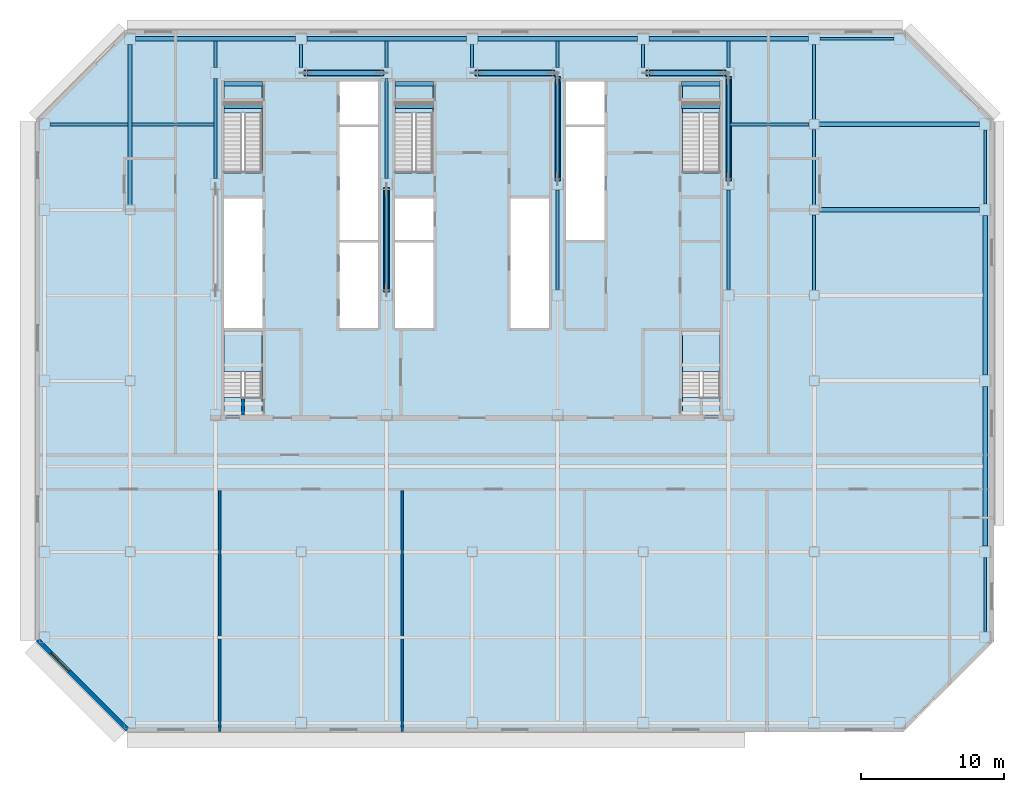
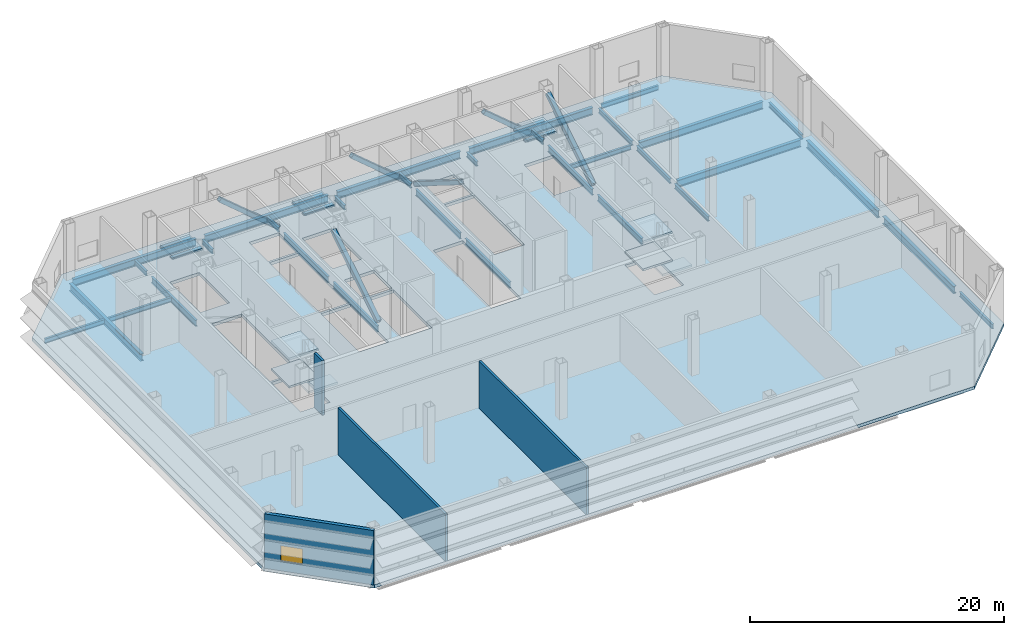
# One storey, part 2 of 10: 38 beams, 10 slabs, 6 members, 4 walls, 1 window, 1 opening, 5 elements without a shape of their own.
"""IFC4 building model written with IfcOpenShell, lengths in metres."""

import ifcopenshell
import ifcopenshell.guid

model = None  # the IFC model being written
_history = None  # IfcOwnerHistory: only IFC2X3 demands one
_inside = {}  # id of a spatial element -> (the spatial element, [elements in it])
_under = {}  # id of a project, library or spatial element -> (it, [spatial elements below it])
_declared = {}  # id of a project -> (the project, [libraries it declares])
_typed = {}  # id of a type object -> (the type object, [elements of that type])
_made_of = {}  # id of a material, layer set ... -> (it, [elements and type objects made of it])


def new_model(schema):
    """Start an empty IFC model of exactly this schema.

    Asked for "IFC4X3", IfcOpenShell would pick the latest addendum, in which some entities
    have other attributes; the version numbers below select the first issue.
    IFC2X3 requires an IfcOwnerHistory on every rooted entity: one is made here for all.
    """
    global model, _history
    if schema == "IFC4X3":
        model = ifcopenshell.file(schema_version=(4, 3, 0, 0))
    else:
        model = ifcopenshell.file(schema=schema)
    _inside.clear()
    _under.clear()
    _declared.clear()
    _typed.clear()
    _made_of.clear()
    _history = None
    if model.schema == "IFC2X3":
        org = make("IfcOrganization", Name="unknown")
        user = make(
            "IfcPersonAndOrganization",
            ThePerson=make("IfcPerson", FamilyName="unknown"),
            TheOrganization=org,
        )
        app = make(
            "IfcApplication",
            ApplicationDeveloper=org,
            Version="unknown",
            ApplicationFullName="unknown",
            ApplicationIdentifier="unknown",
        )
        _history = make(
            "IfcOwnerHistory",
            OwningUser=user,
            OwningApplication=app,
            ChangeAction="ADDED",
            CreationDate=0,
        )
    return model


def make(cls, **values):
    """One entity of the class cls with the attributes given. An attribute that is None is left unset."""
    return model.create_entity(
        cls, **{name: value for name, value in values.items() if value is not None}
    )


def rooted(cls, **values):
    """An entity with a GlobalId (a new one), such as an element, a storey or a relation."""
    return make(cls, GlobalId=ifcopenshell.guid.new(), OwnerHistory=_history, **values)


def si_unit(unit_type, name, prefix=None):
    """IfcSIUnit, for example si_unit("LENGTHUNIT", "METRE", prefix="MILLI")."""
    return make("IfcSIUnit", UnitType=unit_type, Prefix=prefix, Name=name)


def assignment(units):
    """IfcUnitAssignment: the units of a project."""
    return None if units is None else make("IfcUnitAssignment", Units=units)


def point(xyz):
    """IfcCartesianPoint."""
    return None if xyz is None else make("IfcCartesianPoint", Coordinates=xyz)


def direction(xyz):
    """IfcDirection."""
    return None if xyz is None else make("IfcDirection", DirectionRatios=xyz)


def frame(location, z_axis=None, x_axis=None):
    """IfcAxis2Placement3D, a coordinate frame: its origin and axes. An axis left out is left unset."""
    return make(
        "IfcAxis2Placement3D",
        Location=point(location),
        Axis=direction(z_axis),
        RefDirection=direction(x_axis),
    )


def frame_2d(location, x_axis=None):
    """IfcAxis2Placement2D, a coordinate frame in the plane: its origin and x axis."""
    return make(
        "IfcAxis2Placement2D", Location=point(location), RefDirection=direction(x_axis)
    )


def origin():
    """The frame at (0, 0, 0) with its axes left unset."""
    return frame((0.0, 0.0, 0.0))


def origin_2d():
    """The frame at (0, 0) in the plane with its x axis left unset."""
    return frame_2d((0.0, 0.0))


def place(relative_to, where):
    """IfcLocalPlacement: puts the frame where relative to a parent placement (None: the world)."""
    return make(
        "IfcLocalPlacement", PlacementRelTo=relative_to, RelativePlacement=where
    )


def context(
    kind, dimensions, precision=None, world=None, true_north=None, identifier=None
):
    """IfcGeometricRepresentationContext, for example the 3D "Model" context."""
    return make(
        "IfcGeometricRepresentationContext",
        ContextIdentifier=identifier,
        ContextType=kind,
        CoordinateSpaceDimension=dimensions,
        Precision=precision,
        WorldCoordinateSystem=world,
        TrueNorth=true_north,
    )


def subcontext(parent, identifier, kind, view, scale=None):
    """IfcGeometricRepresentationSubContext, for example "Body" below "Model"."""
    return make(
        "IfcGeometricRepresentationSubContext",
        ContextIdentifier=identifier,
        ContextType=kind,
        ParentContext=parent,
        TargetScale=scale,
        TargetView=view,
    )


def project(units=None, contexts=None):
    """IfcProject with its units and contexts."""
    return rooted(
        "IfcProject",
        Name="project",
        RepresentationContexts=contexts,
        UnitsInContext=assignment(units),
    )


def spatial(cls, under=None, at=None, **own):
    """A site, building, storey or space (cls), placed at a placement, below another one or the project."""
    s = rooted(cls, ObjectPlacement=at, **own)
    if under is not None:
        _under.setdefault(under.id(), (under, []))[1].append(s)
    return s


def polyline(points):
    """IfcPolyline through the points."""
    return make("IfcPolyline", Points=[point(p) for p in points])


def profile(cls, at=None, kind="AREA", **sizes):
    """A parametric profile (cls). Its sizes go by their IFC names, for example OverallWidth=200.0."""
    return make(cls, ProfileType=kind, Position=at, **sizes)


def rectangle(**sizes):
    """IfcRectangleProfileDef."""
    return profile("IfcRectangleProfileDef", **sizes)


def hollow_rectangle(**sizes):
    """IfcRectangleHollowProfileDef."""
    return profile("IfcRectangleHollowProfileDef", **sizes)


def i_section(**sizes):
    """IfcIShapeProfileDef."""
    return profile("IfcIShapeProfileDef", **sizes)


def outline(outer, holes=None, kind="AREA"):
    """IfcArbitraryClosedProfileDef: a profile drawn as a closed curve; with holes, ...WithVoids."""
    if holes is None:
        return make("IfcArbitraryClosedProfileDef", ProfileType=kind, OuterCurve=outer)
    return make(
        "IfcArbitraryProfileDefWithVoids",
        ProfileType=kind,
        OuterCurve=outer,
        InnerCurves=holes,
    )


def extrude(swept, where, along, depth):
    """IfcExtrudedAreaSolid: the profile swept, set in the frame where, extruded along a direction by depth."""
    return make(
        "IfcExtrudedAreaSolid",
        SweptArea=swept,
        Position=where,
        ExtrudedDirection=direction(along),
        Depth=depth,
    )


def shape(context_of_items, identifier, shape_type, items):
    """IfcShapeRepresentation: the items that make up one representation, for example the "Body"."""
    return make(
        "IfcShapeRepresentation",
        ContextOfItems=context_of_items,
        RepresentationIdentifier=identifier,
        RepresentationType=shape_type,
        Items=items,
    )


def material(Name=None, Category=None):
    """IfcMaterial."""
    return make("IfcMaterial", Name=Name, Category=Category)


def layer(
    of_material, thickness, ventilated=None, Name=None, Category=None, Priority=None
):
    """IfcMaterialLayer: one layer of a wall or slab, of a material (None: an air gap)."""
    return make(
        "IfcMaterialLayer",
        Material=of_material,
        LayerThickness=thickness,
        IsVentilated=ventilated,
        Name=Name,
        Category=Category,
        Priority=Priority,
    )


def layer_set(layers, Name=None):
    """IfcMaterialLayerSet."""
    return make("IfcMaterialLayerSet", MaterialLayers=layers, LayerSetName=Name)


def material_profile(
    of_material, cross_section, Name=None, Category=None, Priority=None
):
    """IfcMaterialProfile: a cross section and its material."""
    return make(
        "IfcMaterialProfile",
        Name=Name,
        Material=of_material,
        Profile=cross_section,
        Priority=Priority,
        Category=Category,
    )


def profile_set(profiles, Name=None, composite=None):
    """IfcMaterialProfileSet."""
    return make(
        "IfcMaterialProfileSet",
        Name=Name,
        MaterialProfiles=profiles,
        CompositeProfile=composite,
    )


def made_of(thing, what):
    """Note that an element or type object is made of a material, layer set ...; save() writes the relation."""
    if what is not None:
        _made_of.setdefault(what.id(), (what, []))[1].append(thing)
    return thing


def type_object(cls, material=None, **own):
    """A type object (cls), such as IfcWallType, which elements share."""
    return made_of(rooted(cls, **own), material)


def element(
    cls,
    number,
    at=None,
    inside=None,
    cuts=None,
    type_object=None,
    material=None,
    context=None,
    identifier="Body",
    shape_type=None,
    held_by="IfcProductDefinitionShape",
    body=None,
    shapes=None,
    **own,
):
    """One element of the class cls, such as IfcWall. Its Tag is "e" and its number.

    at: its placement. inside: the storey or other place that contains it. cuts: it is an
    opening in that element (IfcRelVoidsElement). A single representation is given by context,
    identifier, shape_type and body (its items); several are given by shapes. held_by: the class
    of the entity that holds the representations. save() writes the other relations.
    """
    e = rooted(cls, Tag="e%d" % number, ObjectPlacement=at, **own)
    if body is not None:
        shapes = [shape(context, identifier, shape_type, body)]
    if shapes is not None:
        e.Representation = make(held_by, Representations=shapes)
    if inside is not None:
        _inside.setdefault(inside.id(), (inside, []))[1].append(e)
    if cuts is not None:
        rooted(
            "IfcRelVoidsElement", RelatingBuildingElement=cuts, RelatedOpeningElement=e
        )
    if type_object is not None:
        _typed.setdefault(type_object.id(), (type_object, []))[1].append(e)
    return made_of(e, material)


def fill(opening, filler):
    """IfcRelFillsElement: the door or window that sits in an opening."""
    return rooted(
        "IfcRelFillsElement",
        RelatingOpeningElement=opening,
        RelatedBuildingElement=filler,
    )


def aggregate(whole, parts):
    """IfcRelAggregates: a whole, such as a stair, and the parts it consists of."""
    return rooted("IfcRelAggregates", RelatingObject=whole, RelatedObjects=parts)


def save(model, path):
    """Write the relations noted so far, then the file.

    IfcRelAggregates (storeys below a building ...), IfcRelContainedInSpatialStructure (elements
    in a storey), IfcRelDefinesByType, IfcRelAssociatesMaterial and IfcRelDeclares: one each for
    every whole, place, type object, material and project.
    """
    for whole, parts in _under.values():
        aggregate(whole, parts)
    for where, things in _inside.values():
        rooted(
            "IfcRelContainedInSpatialStructure",
            RelatedElements=things,
            RelatingStructure=where,
        )
    for kind, things in _typed.values():
        rooted("IfcRelDefinesByType", RelatedObjects=things, RelatingType=kind)
    for what, things in _made_of.values():
        rooted("IfcRelAssociatesMaterial", RelatedObjects=things, RelatingMaterial=what)
    for by, libraries in _declared.values():
        rooted("IfcRelDeclares", RelatingContext=by, RelatedDefinitions=libraries)
    model.write(path)


model = new_model("IFC4")

# Units and contexts
model_context = context("Model", 3, precision=1e-05, world=origin(), true_north=direction((0.0, 1.0)))
body_context = subcontext(model_context, "Body", "Model", "MODEL_VIEW")
ifc_project = project(units=[si_unit("LENGTHUNIT", "METRE"), si_unit("AREAUNIT", "SQUARE_METRE"), si_unit("VOLUMEUNIT", "CUBIC_METRE"), si_unit("PLANEANGLEUNIT", "RADIAN"), si_unit("MASSUNIT", "GRAM", prefix="KILO")], contexts=[model_context])

# Site, building, storey
site_placement = place(None, origin())
site = spatial("IfcSite", under=ifc_project, at=site_placement, CompositionType="ELEMENT")
building_placement = place(site_placement, origin())
building = spatial("IfcBuilding", under=site, at=building_placement, Name="Sorahane Residences", CompositionType="ELEMENT")
storey_placement = place(building_placement, frame((0.0, 0.0, 138.39990234375)))
storey = spatial("IfcBuildingStorey", under=building, at=storey_placement, Name="L31", CompositionType="ELEMENT", Elevation=138.39990234375)

# Members
ifc_material_1 = material(Name="Steel Q355B", Category="steel")
ifc_material_profile_1 = material_profile(ifc_material_1, hollow_rectangle(XDim=0.39990234375, YDim=0.39990234375, WallThickness=0.02001953125, InnerFilletRadius=0.010009765625, OuterFilletRadius=0.030029296875, at=origin_2d()), Name="RHS 400x400x20")
ifc_profile_set_1 = profile_set([ifc_material_profile_1], Name="Steel Q355B")
member_type = type_object("IfcMemberType", Name="Core brace RHS 400x400x20 Q355B", PredefinedType="BRACE", material=ifc_profile_set_1)
for number, where, z_axis, x_axis, name in (
    (1, (17.67724609375, 45.60009765625, 0.13525390625), (-0.76556525425, 0.0, 0.643358252831), (0.0, -1.0, 0.0), "Core brace L31 y45.6-2"),
    (2, (29.67724609375, 45.60009765625, 0.13525390625), (-0.76556525425, 0.0, 0.643358252831), (0.0, -1.0, 0.0), "Core brace L31 y45.6-4"),
    (3, (41.67724609375, 45.60009765625, 0.13525390625), (-0.76556525425, 0.0, 0.643358252831), (0.0, -1.0, 0.0), "Core brace L31 y45.6-6"),
):
    element("IfcMember", number, at=place(storey_placement, frame(where, z_axis=z_axis, x_axis=x_axis)), inside=storey, type_object=member_type, Name=name, PredefinedType="BRACE", context=body_context, shape_type="SweptSolid", body=[
        extrude(hollow_rectangle(XDim=0.39990234375, YDim=0.39990234375, WallThickness=0.02001953125, InnerFilletRadius=0.010009765625, OuterFilletRadius=0.030029296875, at=origin_2d()), origin(), (0.0, 0.0, 1.0), 6.994140625),
    ])
member_1_placement = place(storey_placement, frame((42.0, 38.136474609375, 0.160400390625), z_axis=(0.0, 0.848259395997, 0.52958096369), x_axis=(-1.0, 0.0, 0.0)))
element("IfcMember", 4, at=member_1_placement, inside=storey, type_object=member_type, Name="Core brace L31 x42-3", PredefinedType="BRACE", context=body_context, shape_type="SweptSolid", body=[
    extrude(hollow_rectangle(XDim=0.39990234375, YDim=0.39990234375, WallThickness=0.02001953125, InnerFilletRadius=0.010009765625, OuterFilletRadius=0.030029296875, at=origin_2d()), origin(), (0.0, 0.0, 1.0), 8.40185546875),
])
member_2_placement = place(storey_placement, frame((18.0, 30.33642578125, 0.160400390625), z_axis=(0.0, 0.848267545169, 0.529567910482), x_axis=(-1.0, 0.0, 0.0)))
element("IfcMember", 5, at=member_2_placement, inside=storey, type_object=member_type, Name="Core brace L31 x18-1", PredefinedType="BRACE", context=body_context, shape_type="SweptSolid", body=[
    extrude(hollow_rectangle(XDim=0.39990234375, YDim=0.39990234375, WallThickness=0.02001953125, InnerFilletRadius=0.010009765625, OuterFilletRadius=0.030029296875, at=origin_2d()), origin(), (0.0, 0.0, 1.0), 8.402099609375),
])
member_3_placement = place(storey_placement, frame((30.0, 45.263427734375, 0.160400390625), z_axis=(0.0, -0.848259395997, 0.52958096369), x_axis=(1.0, 0.0, 0.0)))
element("IfcMember", 6, at=member_3_placement, inside=storey, type_object=member_type, Name="Core brace L31 x30-2", PredefinedType="BRACE", context=body_context, shape_type="SweptSolid", body=[
    extrude(hollow_rectangle(XDim=0.39990234375, YDim=0.39990234375, WallThickness=0.02001953125, InnerFilletRadius=0.010009765625, OuterFilletRadius=0.030029296875, at=origin_2d()), origin(), (0.0, 0.0, 1.0), 8.40185546875),
])

# Beams
ifc_material_2 = material(Name="Concrete C40", Category="concrete")
ifc_material_profile_2 = material_profile(ifc_material_2, rectangle(XDim=0.300048828125, YDim=0.139892578125, at=origin_2d()), Name="300x140")
ifc_profile_set_2 = profile_set([ifc_material_profile_2], Name="Concrete C40")
beam_type_1 = type_object("IfcBeamType", Name="RC landing beam 300 x 140 Concrete C40", PredefinedType="BEAM", material=ifc_profile_set_2)
for number, where, z_axis, x_axis, name in (
    (7, (6.60009765625, 43.25, 2.43017578125), (1.0, 0.0, 0.0), (0.0, 1.0, 0.0), "Landing beam"),
    (8, (6.60009765625, 44.85009765625, 2.43017578125), (1.0, 0.0, 0.0), (0.0, 1.0, 0.0), "Landing beam"),
    (9, (38.699951171875, 43.25, 2.43017578125), (1.0, 0.0, 0.0), (0.0, 1.0, 0.0), "Landing beam"),
    (10, (38.699951171875, 44.85009765625, 2.43017578125), (1.0, 0.0, 0.0), (0.0, 1.0, 0.0), "Landing beam"),
    (11, (18.60009765625, 43.25, 2.43017578125), (1.0, 0.0, 0.0), (0.0, 1.0, 0.0), "Landing beam"),
    (12, (18.60009765625, 44.85009765625, 2.43017578125), (1.0, 0.0, 0.0), (0.0, 1.0, 0.0), "Landing beam"),
):
    element("IfcBeam", number, at=place(storey_placement, frame(where, z_axis=z_axis, x_axis=x_axis)), inside=storey, type_object=beam_type_1, Name=name, PredefinedType="BEAM", context=body_context, shape_type="SweptSolid", body=[
        extrude(rectangle(XDim=0.300048828125, YDim=0.139892578125, at=origin_2d()), origin(), (0.0, 0.0, 1.0), 2.699951171875),
    ])
ifc_material_3 = material(Name="Steel Q355B", Category="steel")
ifc_material_profile_3 = material_profile(ifc_material_3, i_section(OverallWidth=0.199951171875, OverallDepth=0.449951171875, WebThickness=0.009033203125, FlangeThickness=0.013916015625, FilletRadius=0.02001953125, at=origin_2d()), Name="HN 450x200x9x14")
ifc_profile_set_3 = profile_set([ifc_material_profile_3], Name="Steel Q355B")
beam_type_2 = type_object("IfcBeamType", Name="Steel floor beam HN 450x200x9x14 Q355B", PredefinedType="BEAM", material=ifc_profile_set_3)
beam_1_placement = place(storey_placement, frame((48.39990234375, 48.0, -0.52490234375), z_axis=(1.0, 0.0, 0.0), x_axis=(0.0, 1.0, 0.0)))
element("IfcBeam", 13, at=beam_1_placement, inside=storey, type_object=beam_type_2, Name="Beam L31 019", PredefinedType="BEAM", context=body_context, shape_type="SweptSolid", body=[
    extrude(i_section(OverallWidth=0.199951171875, OverallDepth=0.449951171875, WebThickness=0.009033203125, FlangeThickness=0.013916015625, FilletRadius=0.02001953125, at=origin_2d()), origin(), (0.0, 0.0, 1.0), 5.2001953125),
])
beam_2_placement = place(storey_placement, frame((6.0, 46.0, -0.52490234375), z_axis=(0.0, 1.0, 0.0), x_axis=(-1.0, 0.0, 0.0)))
element("IfcBeam", 14, at=beam_2_placement, inside=storey, type_object=beam_type_2, Name="Beam L31 033", PredefinedType="BEAM", context=body_context, shape_type="SweptSolid", body=[
    extrude(i_section(OverallWidth=0.199951171875, OverallDepth=0.449951171875, WebThickness=0.009033203125, FlangeThickness=0.013916015625, FilletRadius=0.02001953125, at=origin_2d()), origin(), (0.0, 0.0, 1.0), 1.85009765625),
])
beam_3_placement = place(storey_placement, frame((12.0, 46.0, -0.52490234375), z_axis=(0.0, 1.0, 0.0), x_axis=(-1.0, 0.0, 0.0)))
element("IfcBeam", 15, at=beam_3_placement, inside=storey, type_object=beam_type_2, Name="Beam L31 035", PredefinedType="BEAM", context=body_context, shape_type="SweptSolid", body=[
    extrude(i_section(OverallWidth=0.199951171875, OverallDepth=0.449951171875, WebThickness=0.009033203125, FlangeThickness=0.013916015625, FilletRadius=0.02001953125, at=origin_2d()), origin(), (0.0, 0.0, 1.0), 1.60009765625),
])
beam_4_placement = place(storey_placement, frame((18.0, 46.0, -0.52490234375), z_axis=(0.0, 1.0, 0.0), x_axis=(-1.0, 0.0, 0.0)))
element("IfcBeam", 16, at=beam_4_placement, inside=storey, type_object=beam_type_2, Name="Beam L31 041", PredefinedType="BEAM", context=body_context, shape_type="SweptSolid", body=[
    extrude(i_section(OverallWidth=0.199951171875, OverallDepth=0.449951171875, WebThickness=0.009033203125, FlangeThickness=0.013916015625, FilletRadius=0.02001953125, at=origin_2d()), origin(), (0.0, 0.0, 1.0), 1.85009765625),
])
beam_5_placement = place(storey_placement, frame((24.0, 46.0, -0.52490234375), z_axis=(0.0, 1.0, 0.0), x_axis=(-1.0, 0.0, 0.0)))
element("IfcBeam", 17, at=beam_5_placement, inside=storey, type_object=beam_type_2, Name="Beam L31 043", PredefinedType="BEAM", context=body_context, shape_type="SweptSolid", body=[
    extrude(i_section(OverallWidth=0.199951171875, OverallDepth=0.449951171875, WebThickness=0.009033203125, FlangeThickness=0.013916015625, FilletRadius=0.02001953125, at=origin_2d()), origin(), (0.0, 0.0, 1.0), 1.60009765625),
])
beam_6_placement = place(storey_placement, frame((30.0, 46.0, -0.52490234375), z_axis=(0.0, 1.0, 0.0), x_axis=(-1.0, 0.0, 0.0)))
element("IfcBeam", 18, at=beam_6_placement, inside=storey, type_object=beam_type_2, Name="Beam L31 049", PredefinedType="BEAM", context=body_context, shape_type="SweptSolid", body=[
    extrude(i_section(OverallWidth=0.199951171875, OverallDepth=0.449951171875, WebThickness=0.009033203125, FlangeThickness=0.013916015625, FilletRadius=0.02001953125, at=origin_2d()), origin(), (0.0, 0.0, 1.0), 1.85009765625),
])
beam_7_placement = place(storey_placement, frame((36.0, 46.0, -0.52490234375), z_axis=(0.0, 1.0, 0.0), x_axis=(-1.0, 0.0, 0.0)))
element("IfcBeam", 19, at=beam_7_placement, inside=storey, type_object=beam_type_2, Name="Beam L31 051", PredefinedType="BEAM", context=body_context, shape_type="SweptSolid", body=[
    extrude(i_section(OverallWidth=0.199951171875, OverallDepth=0.449951171875, WebThickness=0.009033203125, FlangeThickness=0.013916015625, FilletRadius=0.02001953125, at=origin_2d()), origin(), (0.0, 0.0, 1.0), 1.60009765625),
])
beam_8_placement = place(storey_placement, frame((42.0, 46.0, -0.52490234375), z_axis=(0.0, 1.0, 0.0), x_axis=(-1.0, 0.0, 0.0)))
element("IfcBeam", 20, at=beam_8_placement, inside=storey, type_object=beam_type_2, Name="Beam L31 057", PredefinedType="BEAM", context=body_context, shape_type="SweptSolid", body=[
    extrude(i_section(OverallWidth=0.199951171875, OverallDepth=0.449951171875, WebThickness=0.009033203125, FlangeThickness=0.013916015625, FilletRadius=0.02001953125, at=origin_2d()), origin(), (0.0, 0.0, 1.0), 1.85009765625),
])
for number, where, z_axis, x_axis, name in (
    (21, (48.0, 30.35009765625, -0.52490234375), (0.0, 1.0, 0.0), (-1.0, 0.0, 0.0), "Beam L31 061"),
    (22, (48.0, 36.35009765625, -0.52490234375), (0.0, 1.0, 0.0), (-1.0, 0.0, 0.0), "Beam L31 062"),
):
    element("IfcBeam", number, at=place(storey_placement, frame(where, z_axis=z_axis, x_axis=x_axis)), inside=storey, type_object=beam_type_2, Name=name, PredefinedType="BEAM", context=body_context, shape_type="SweptSolid", body=[
        extrude(i_section(OverallWidth=0.199951171875, OverallDepth=0.449951171875, WebThickness=0.009033203125, FlangeThickness=0.013916015625, FilletRadius=0.02001953125, at=origin_2d()), origin(), (0.0, 0.0, 1.0), 5.2998046875),
    ])
beam_9_placement = place(storey_placement, frame((48.0, 42.35009765625, -0.52490234375), z_axis=(0.0, 1.0, 0.0), x_axis=(-1.0, 0.0, 0.0)))
element("IfcBeam", 23, at=beam_9_placement, inside=storey, type_object=beam_type_2, Name="Beam L31 063", PredefinedType="BEAM", context=body_context, shape_type="SweptSolid", body=[
    extrude(i_section(OverallWidth=0.199951171875, OverallDepth=0.449951171875, WebThickness=0.009033203125, FlangeThickness=0.013916015625, FilletRadius=0.02001953125, at=origin_2d()), origin(), (0.0, 0.0, 1.0), 5.25),
])
for number, where, z_axis, x_axis, name in (
    (24, (60.0, 6.39990234375, -0.52490234375), (0.0, 1.0, 0.0), (-1.0, 0.0, 0.0), "Beam L31 064"),
    (25, (60.0, 36.39990234375, -0.52490234375), (0.0, 1.0, 0.0), (-1.0, 0.0, 0.0), "Beam L31 067"),
):
    element("IfcBeam", number, at=place(storey_placement, frame(where, z_axis=z_axis, x_axis=x_axis)), inside=storey, type_object=beam_type_2, Name=name, PredefinedType="BEAM", context=body_context, shape_type="SweptSolid", body=[
        extrude(i_section(OverallWidth=0.199951171875, OverallDepth=0.449951171875, WebThickness=0.009033203125, FlangeThickness=0.013916015625, FilletRadius=0.02001953125, at=origin_2d()), origin(), (0.0, 0.0, 1.0), 5.2001953125),
    ])
beam_10_placement = place(storey_placement, frame((-5.60009765625, 42.0, -0.52490234375), z_axis=(1.0, 0.0, 0.0), x_axis=(0.0, 1.0, 0.0)))
element("IfcBeam", 26, at=beam_10_placement, inside=storey, type_object=beam_type_2, Name="Beam L31 089", PredefinedType="BEAM", context=body_context, shape_type="SweptSolid", body=[
    extrude(i_section(OverallWidth=0.199951171875, OverallDepth=0.449951171875, WebThickness=0.009033203125, FlangeThickness=0.013916015625, FilletRadius=0.02001953125, at=origin_2d()), origin(), (0.0, 0.0, 1.0), 5.4501953125),
])
beam_11_placement = place(storey_placement, frame((0.14990234375, 42.0, -0.52490234375), z_axis=(1.0, 0.0, 0.0), x_axis=(0.0, 1.0, 0.0)))
element("IfcBeam", 27, at=beam_11_placement, inside=storey, type_object=beam_type_2, Name="Beam L31 090", PredefinedType="BEAM", context=body_context, shape_type="SweptSolid", body=[
    extrude(i_section(OverallWidth=0.199951171875, OverallDepth=0.449951171875, WebThickness=0.009033203125, FlangeThickness=0.013916015625, FilletRadius=0.02001953125, at=origin_2d()), origin(), (0.0, 0.0, 1.0), 5.75),
])
beam_12_placement = place(storey_placement, frame((42.10009765625, 42.0, -0.52490234375), z_axis=(1.0, 0.0, 0.0), x_axis=(0.0, 1.0, 0.0)))
element("IfcBeam", 28, at=beam_12_placement, inside=storey, type_object=beam_type_2, Name="Beam L31 091", PredefinedType="BEAM", context=body_context, shape_type="SweptSolid", body=[
    extrude(i_section(OverallWidth=0.199951171875, OverallDepth=0.449951171875, WebThickness=0.009033203125, FlangeThickness=0.013916015625, FilletRadius=0.02001953125, at=origin_2d()), origin(), (0.0, 0.0, 1.0), 5.5498046875),
])
ifc_material_4 = material(Name="Steel Q355B", Category="steel")
ifc_material_profile_4 = material_profile(ifc_material_4, i_section(OverallWidth=0.199951171875, OverallDepth=0.60009765625, WebThickness=0.010986328125, FlangeThickness=0.01708984375, FilletRadius=0.02392578125, at=origin_2d()), Name="HN 600x200x11x17")
ifc_profile_set_4 = profile_set([ifc_material_profile_4], Name="Steel Q355B")
beam_type_3 = type_object("IfcBeamType", Name="Steel floor beam HN 600x200x11x17 Q355B", PredefinedType="BEAM", material=ifc_profile_set_4)
for number, where, z_axis, x_axis, name in (
    (29, (6.0, 38.199951171875, -0.599853515625), (0.0, 1.0, 0.0), (-1.0, 0.0, 0.0), "Beam L31 032"),
    (30, (18.0, 30.39990234375, -0.599853515625), (0.0, 1.0, 0.0), (-1.0, 0.0, 0.0), "Beam L31 039"),
    (31, (18.0, 38.199951171875, -0.599853515625), (0.0, 1.0, 0.0), (-1.0, 0.0, 0.0), "Beam L31 040"),
    (32, (30.0, 30.39990234375, -0.599853515625), (0.0, 1.0, 0.0), (-1.0, 0.0, 0.0), "Beam L31 047"),
    (33, (30.0, 38.199951171875, -0.599853515625), (0.0, 1.0, 0.0), (-1.0, 0.0, 0.0), "Beam L31 048"),
    (34, (42.0, 30.39990234375, -0.599853515625), (0.0, 1.0, 0.0), (-1.0, 0.0, 0.0), "Beam L31 055"),
    (35, (42.0, 38.199951171875, -0.599853515625), (0.0, 1.0, 0.0), (-1.0, 0.0, 0.0), "Beam L31 056"),
):
    element("IfcBeam", number, at=place(storey_placement, frame(where, z_axis=z_axis, x_axis=x_axis)), inside=storey, type_object=beam_type_3, Name=name, PredefinedType="BEAM", context=body_context, shape_type="SweptSolid", body=[
        extrude(i_section(OverallWidth=0.199951171875, OverallDepth=0.60009765625, WebThickness=0.010986328125, FlangeThickness=0.01708984375, FilletRadius=0.02392578125, at=origin_2d()), origin(), (0.0, 0.0, 1.0), 7.0),
    ])
ifc_material_5 = material(Name="Steel Q355B", Category="steel")
ifc_material_profile_5 = material_profile(ifc_material_5, i_section(OverallWidth=0.300048828125, OverallDepth=0.699951171875, WebThickness=0.012939453125, FlangeThickness=0.02392578125, FilletRadius=0.028076171875, at=origin_2d()), Name="HN 700x300x13x24")
ifc_profile_set_5 = profile_set([ifc_material_profile_5], Name="Steel Q355B")
beam_type_4 = type_object("IfcBeamType", Name="Steel floor beam HN 700x300x13x24 Q355B", PredefinedType="BEAM", material=ifc_profile_set_5)
beam_13_placement = place(storey_placement, frame((48.35009765625, 36.0, -0.64990234375), z_axis=(1.0, 0.0, 0.0), x_axis=(0.0, 1.0, 0.0)))
element("IfcBeam", 36, at=beam_13_placement, inside=storey, type_object=beam_type_4, Name="Beam L31 014", PredefinedType="BEAM", context=body_context, shape_type="SweptSolid", body=[
    extrude(i_section(OverallWidth=0.300048828125, OverallDepth=0.699951171875, WebThickness=0.012939453125, FlangeThickness=0.02392578125, FilletRadius=0.028076171875, at=origin_2d()), origin(), (0.0, 0.0, 1.0), 11.25),
])
for number, where, z_axis, x_axis, name in (
    (37, (0.39990234375, 48.0, -0.64990234375), (1.0, 0.0, 0.0), (0.0, 1.0, 0.0), "Beam L31 015"),
    (38, (12.39990234375, 48.0, -0.64990234375), (1.0, 0.0, 0.0), (0.0, 1.0, 0.0), "Beam L31 016"),
    (39, (24.39990234375, 48.0, -0.64990234375), (1.0, 0.0, 0.0), (0.0, 1.0, 0.0), "Beam L31 017"),
    (40, (36.39990234375, 48.0, -0.64990234375), (1.0, 0.0, 0.0), (0.0, 1.0, 0.0), "Beam L31 018"),
):
    element("IfcBeam", number, at=place(storey_placement, frame(where, z_axis=z_axis, x_axis=x_axis)), inside=storey, type_object=beam_type_4, Name=name, PredefinedType="BEAM", context=body_context, shape_type="SweptSolid", body=[
        extrude(i_section(OverallWidth=0.300048828125, OverallDepth=0.699951171875, WebThickness=0.012939453125, FlangeThickness=0.02392578125, FilletRadius=0.028076171875, at=origin_2d()), origin(), (0.0, 0.0, 1.0), 11.2001953125),
    ])
beam_14_placement = place(storey_placement, frame((0.0, 36.35009765625, -0.64990234375), z_axis=(0.0, 1.0, 0.0), x_axis=(-1.0, 0.0, 0.0)))
element("IfcBeam", 41, at=beam_14_placement, inside=storey, type_object=beam_type_4, Name="Beam L31 027", PredefinedType="BEAM", context=body_context, shape_type="SweptSolid", body=[
    extrude(i_section(OverallWidth=0.300048828125, OverallDepth=0.699951171875, WebThickness=0.012939453125, FlangeThickness=0.02392578125, FilletRadius=0.028076171875, at=origin_2d()), origin(), (0.0, 0.0, 1.0), 11.25),
])
for number, where, z_axis, x_axis, name in (
    (42, (60.0, 12.39990234375, -0.64990234375), (0.0, 1.0, 0.0), (-1.0, 0.0, 0.0), "Beam L31 065"),
    (43, (60.0, 24.39990234375, -0.64990234375), (0.0, 1.0, 0.0), (-1.0, 0.0, 0.0), "Beam L31 066"),
):
    element("IfcBeam", number, at=place(storey_placement, frame(where, z_axis=z_axis, x_axis=x_axis)), inside=storey, type_object=beam_type_4, Name=name, PredefinedType="BEAM", context=body_context, shape_type="SweptSolid", body=[
        extrude(i_section(OverallWidth=0.300048828125, OverallDepth=0.699951171875, WebThickness=0.012939453125, FlangeThickness=0.02392578125, FilletRadius=0.028076171875, at=origin_2d()), origin(), (0.0, 0.0, 1.0), 11.2001953125),
    ])
beam_15_placement = place(storey_placement, frame((48.35009765625, 42.0, -0.64990234375), z_axis=(1.0, 0.0, 0.0), x_axis=(0.0, 1.0, 0.0)))
element("IfcBeam", 44, at=beam_15_placement, inside=storey, type_object=beam_type_4, Name="Beam L31 092", PredefinedType="BEAM", context=body_context, shape_type="SweptSolid", body=[
    extrude(i_section(OverallWidth=0.300048828125, OverallDepth=0.699951171875, WebThickness=0.012939453125, FlangeThickness=0.02392578125, FilletRadius=0.028076171875, at=origin_2d()), origin(), (0.0, 0.0, 1.0), 11.25),
])

# Slab
ifc_material_6 = material(Name="Concrete C35", Category="concrete")
ifc_layer_1 = layer(ifc_material_6, 0.300048828125)
ifc_layer_set_1 = layer_set([ifc_layer_1], Name="Composite floor slab 300 mm Concrete C35")
slab_type_1 = type_object("IfcSlabType", Name="Composite floor slab 300 mm Concrete C35", PredefinedType="FLOOR", material=ifc_layer_set_1)
slab_1_placement = place(storey_placement, frame((0.0, 0.0, -0.2998046875)))
element("IfcSlab", 45, at=slab_1_placement, inside=storey, type_object=slab_type_1, Name="Slab L31", PredefinedType="FLOOR", context=body_context, shape_type="SweptSolid", body=[
    extrude(outline(polyline([(-0.24853515625, -0.60009765625), (-6.60009765625, 5.75146484375), (-6.60009765625, 42.24853515625), (-0.24853515625, 48.60009765625), (54.24853515625, 48.60009765625), (60.60009765625, 42.24853515625), (60.60009765625, 5.75146484375), (54.24853515625, -0.60009765625), (-0.24853515625, -0.60009765625)]), holes=[polyline([(18.60009765625, 27.699951171875), (21.300048828125, 27.699951171875), (21.300048828125, 33.699951171875), (18.60009765625, 33.699951171875), (18.60009765625, 27.699951171875)]), polyline([(30.60009765625, 42.0), (33.300048828125, 42.0), (33.300048828125, 45.0), (30.60009765625, 45.0), (30.60009765625, 42.0)]), polyline([(14.699951171875, 27.699951171875), (17.39990234375, 27.699951171875), (17.39990234375, 33.699951171875), (14.699951171875, 33.699951171875), (14.699951171875, 27.699951171875)]), polyline([(14.699951171875, 42.0), (17.39990234375, 42.0), (17.39990234375, 45.0), (14.699951171875, 45.0), (14.699951171875, 42.0)]), polyline([(6.60009765625, 27.699951171875), (9.300048828125, 27.699951171875), (9.300048828125, 36.800048828125), (6.60009765625, 36.800048828125), (6.60009765625, 27.699951171875)]), polyline([(6.60009765625, 43.39990234375), (9.25, 43.39990234375), (9.25, 38.60009765625), (6.60009765625, 38.60009765625), (6.60009765625, 43.39990234375)]), polyline([(38.75, 43.39990234375), (41.39990234375, 43.39990234375), (41.39990234375, 38.60009765625), (38.75, 38.60009765625), (38.75, 43.39990234375)]), polyline([(18.60009765625, 43.39990234375), (21.25, 43.39990234375), (21.25, 38.60009765625), (18.60009765625, 38.60009765625), (18.60009765625, 43.39990234375)]), polyline([(6.60009765625, 27.5), (9.25, 27.5), (9.25, 22.85009765625), (6.60009765625, 22.85009765625), (6.60009765625, 27.5)]), polyline([(38.75, 27.5), (41.39990234375, 27.5), (41.39990234375, 22.85009765625), (38.75, 22.85009765625), (38.75, 27.5)]), polyline([(14.699951171875, 33.89990234375), (17.39990234375, 33.89990234375), (17.39990234375, 41.800048828125), (14.699951171875, 41.800048828125), (14.699951171875, 33.89990234375)]), polyline([(30.60009765625, 33.89990234375), (33.300048828125, 33.89990234375), (33.300048828125, 41.800048828125), (30.60009765625, 41.800048828125), (30.60009765625, 33.89990234375)]), polyline([(18.60009765625, 33.89990234375), (21.300048828125, 33.89990234375), (21.300048828125, 36.800048828125), (18.60009765625, 36.800048828125), (18.60009765625, 33.89990234375)]), polyline([(26.699951171875, 27.699951171875), (29.39990234375, 27.699951171875), (29.39990234375, 36.800048828125), (26.699951171875, 36.800048828125), (26.699951171875, 27.699951171875)])]), origin(), (0.0, 0.0, 1.0), 0.2998046875),
])

# Stair, slab
ifc_material_7 = material(Name="Concrete C40", Category="concrete")
stair_type = type_object("IfcStairType", Name="Dog-leg stair 1250 Concrete C40", PredefinedType="HALF_TURN_STAIR", material=ifc_material_7)
stair_1_placement = place(storey_placement, origin())
stair_1 = element("IfcStair", 46, at=stair_1_placement, inside=storey, type_object=stair_type, Name="L31 Stair S1", PredefinedType="HALF_TURN_STAIR")
ifc_material_8 = material(Name="Concrete C40", Category="concrete")
ifc_layer_2 = layer(ifc_material_8, 0.199951171875)
ifc_layer_set_2 = layer_set([ifc_layer_2], Name="Stair landing 200 Concrete C40")
slab_type_2 = type_object("IfcSlabType", Name="Stair landing 200 Concrete C40", PredefinedType="LANDING", material=ifc_layer_set_2)
slab_2_placement = place(storey_placement, frame((0.0, 0.0, 2.5)))
slab_2 = element("IfcSlab", 47, at=slab_2_placement, type_object=slab_type_2, Name="S1 landing 1", PredefinedType="LANDING", context=body_context, shape_type="SweptSolid", body=[
    extrude(outline(polyline([(9.25, 42.800048828125), (9.25, 45.0), (6.60009765625, 45.0), (6.60009765625, 42.800048828125), (9.25, 42.800048828125)])), origin(), (0.0, 0.0, 1.0), 0.2001953125),
])
aggregate(stair_1, [slab_2])

stair_2_placement = place(storey_placement, origin())
stair_2 = element("IfcStair", 48, at=stair_2_placement, inside=storey, type_object=stair_type, Name="L31 Stair S2", PredefinedType="HALF_TURN_STAIR")
slab_3_placement = place(storey_placement, frame((0.0, 0.0, 2.5)))
slab_3 = element("IfcSlab", 49, at=slab_3_placement, type_object=slab_type_2, Name="S2 landing 1", PredefinedType="LANDING", context=body_context, shape_type="SweptSolid", body=[
    extrude(outline(polyline([(41.39990234375, 42.800048828125), (41.39990234375, 45.0), (38.75, 45.0), (38.75, 42.800048828125), (41.39990234375, 42.800048828125)])), origin(), (0.0, 0.0, 1.0), 0.2001953125),
])
aggregate(stair_2, [slab_3])

stair_3_placement = place(storey_placement, origin())
stair_3 = element("IfcStair", 50, at=stair_3_placement, inside=storey, type_object=stair_type, Name="L31 Stair S3", PredefinedType="HALF_TURN_STAIR")
slab_4_placement = place(storey_placement, frame((0.0, 0.0, 2.5)))
slab_4 = element("IfcSlab", 51, at=slab_4_placement, type_object=slab_type_2, Name="S3 landing 1", PredefinedType="LANDING", context=body_context, shape_type="SweptSolid", body=[
    extrude(outline(polyline([(21.25, 42.800048828125), (21.25, 45.0), (18.60009765625, 45.0), (18.60009765625, 42.800048828125), (21.25, 42.800048828125)])), origin(), (0.0, 0.0, 1.0), 0.2001953125),
])
aggregate(stair_3, [slab_4])

# Stair, slabs
stair_4_placement = place(storey_placement, origin())
stair_4 = element("IfcStair", 52, at=stair_4_placement, inside=storey, type_object=stair_type, Name="L31 Stair S4", PredefinedType="HALF_TURN_STAIR")
slab_5_placement = place(storey_placement, frame((0.0, 0.0, 1.150146484375)))
slab_5 = element("IfcSlab", 53, at=slab_5_placement, type_object=slab_type_2, Name="S4 landing 1", PredefinedType="LANDING", context=body_context, shape_type="SweptSolid", body=[
    extrude(outline(polyline([(9.25, 24.669921875), (9.25, 27.5), (6.60009765625, 27.5), (6.60009765625, 24.669921875), (9.25, 24.669921875)])), origin(), (0.0, 0.0, 1.0), 0.199951171875),
])
slab_6_placement = place(storey_placement, frame((0.0, 0.0, 2.5)))
slab_6 = element("IfcSlab", 54, at=slab_6_placement, type_object=slab_type_2, Name="S4 landing 2", PredefinedType="LANDING", context=body_context, shape_type="SweptSolid", body=[
    extrude(outline(polyline([(9.25, 21.60009765625), (9.25, 22.85009765625), (6.60009765625, 22.85009765625), (6.60009765625, 21.60009765625), (9.25, 21.60009765625)])), origin(), (0.0, 0.0, 1.0), 0.2001953125),
])
slab_7_placement = place(storey_placement, frame((0.0, 0.0, 3.85009765625)))
slab_7 = element("IfcSlab", 55, at=slab_7_placement, type_object=slab_type_2, Name="S4 landing 3", PredefinedType="LANDING", context=body_context, shape_type="SweptSolid", body=[
    extrude(outline(polyline([(9.25, 24.669921875), (9.25, 27.5), (6.60009765625, 27.5), (6.60009765625, 24.669921875), (9.25, 24.669921875)])), origin(), (0.0, 0.0, 1.0), 0.199951171875),
])
aggregate(stair_4, [slab_5, slab_6, slab_7])

stair_5_placement = place(storey_placement, origin())
stair_5 = element("IfcStair", 56, at=stair_5_placement, inside=storey, type_object=stair_type, Name="L31 Stair S5", PredefinedType="HALF_TURN_STAIR")
slab_8_placement = place(storey_placement, frame((0.0, 0.0, 1.150146484375)))
slab_8 = element("IfcSlab", 57, at=slab_8_placement, type_object=slab_type_2, Name="S5 landing 1", PredefinedType="LANDING", context=body_context, shape_type="SweptSolid", body=[
    extrude(outline(polyline([(41.39990234375, 24.669921875), (41.39990234375, 27.5), (38.75, 27.5), (38.75, 24.669921875), (41.39990234375, 24.669921875)])), origin(), (0.0, 0.0, 1.0), 0.199951171875),
])
slab_9_placement = place(storey_placement, frame((0.0, 0.0, 2.5)))
slab_9 = element("IfcSlab", 58, at=slab_9_placement, type_object=slab_type_2, Name="S5 landing 2", PredefinedType="LANDING", context=body_context, shape_type="SweptSolid", body=[
    extrude(outline(polyline([(41.39990234375, 21.60009765625), (41.39990234375, 22.85009765625), (38.75, 22.85009765625), (38.75, 21.60009765625), (41.39990234375, 21.60009765625)])), origin(), (0.0, 0.0, 1.0), 0.2001953125),
])
slab_10_placement = place(storey_placement, frame((0.0, 0.0, 3.85009765625)))
slab_10 = element("IfcSlab", 59, at=slab_10_placement, type_object=slab_type_2, Name="S5 landing 3", PredefinedType="LANDING", context=body_context, shape_type="SweptSolid", body=[
    extrude(outline(polyline([(41.39990234375, 24.669921875), (41.39990234375, 27.5), (38.75, 27.5), (38.75, 24.669921875), (41.39990234375, 24.669921875)])), origin(), (0.0, 0.0, 1.0), 0.199951171875),
])
aggregate(stair_5, [slab_8, slab_9, slab_10])

# Wall, opening, window
ifc_material_9 = material(Name="Graphite insulated metal-clad wall")
ifc_layer_3 = layer(ifc_material_9, 0.300048828125)
ifc_layer_set_3 = layer_set([ifc_layer_3], Name="External wall insulated metal-clad 300")
wall_type_1 = type_object("IfcWallType", Name="External wall insulated metal-clad 300", PredefinedType="SOLIDWALL", material=ifc_layer_set_3)
wall_1_placement = place(storey_placement, frame((-6.469970703125, 5.805419921875, 0.0), z_axis=(0.0, 0.0, 1.0), x_axis=(0.707106781187, -0.707106781187, 0.0)))
wall_1 = element("IfcWall", 60, at=wall_1_placement, inside=storey, type_object=wall_type_1, Name="External plant wall L31 SW1", PredefinedType="SOLIDWALL", context=body_context, shape_type="SweptSolid", body=[
    extrude(rectangle(XDim=8.874755859375, YDim=0.300048828125, at=frame_2d((4.4375, 0.0))), origin(), (0.0, 0.0, 1.0), 5.22021484375),
])
opening_placement = place(wall_1_placement, frame((1.291748046875, 0.0, 0.89990234375)))
opening = element("IfcOpeningElement", 61, at=opening_placement, cuts=wall_1, Name="Opening W-R1", PredefinedType="OPENING", context=body_context, shape_type="SweptSolid", body=[
    extrude(rectangle(XDim=1.800048828125, YDim=1.5, at=frame_2d((0.89990234375, 0.75))), frame((0.0, 0.159912109375, 0.0), z_axis=(0.0, -1.0, 0.0), x_axis=(1.0, 0.0, 0.0)), (0.0, 0.0, 1.0), 0.320068359375),
])
ifc_material_10 = material(Name="Dark aluminium and glass", Category="aluminium")
window_type = type_object("IfcWindowType", Name="Openable Class B fire window dark aluminium 1800x1500", PartitioningType="SINGLE_PANEL", PredefinedType="WINDOW", material=ifc_material_10)
window_placement = place(opening_placement, origin())
window = element("IfcWindow", 62, at=window_placement, inside=storey, type_object=window_type, Name="Openable fire window L31 SW1.1", OverallHeight=1.5, OverallWidth=1.800048828125, PartitioningType="SINGLE_PANEL", PredefinedType="WINDOW", context=body_context, shape_type="SweptSolid", body=[
    extrude(rectangle(XDim=1.800048828125, YDim=1.5, at=frame_2d((0.89990234375, 0.75))), frame((0.0, 0.030029296875, 0.0), z_axis=(0.0, -1.0, 0.0), x_axis=(1.0, 0.0, 0.0)), (0.0, 0.0, 1.0), 0.06005859375),
])
fill(opening, window)

# Walls
ifc_material_11 = material(Name="Concrete blockwork C20 wall", Category="masonry")
ifc_layer_4 = layer(ifc_material_11, 0.199951171875)
ifc_layer_set_4 = layer_set([ifc_layer_4], Name="Plant wall 200 EI 120")
wall_type_2 = type_object("IfcWallType", Name="Plant wall 200 EI 120", PredefinedType="SOLIDWALL", material=ifc_layer_set_4)
for number, where, z_axis, x_axis, name in (
    (63, (6.300048828125, -0.60009765625, 0.0), (0.0, 0.0, 1.0), (0.0, 1.0, 0.0), "L31 plant wall"),
    (64, (19.10009765625, -0.60009765625, 0.0), (0.0, 0.0, 1.0), (0.0, 1.0, 0.0), "L31 plant wall"),
):
    element("IfcWall", number, at=place(storey_placement, frame(where, z_axis=z_axis, x_axis=x_axis)), inside=storey, type_object=wall_type_2, Name=name, PredefinedType="SOLIDWALL", context=body_context, shape_type="SweptSolid", body=[
        extrude(rectangle(XDim=16.900146484375, YDim=0.199951171875, at=frame_2d((8.4501953125, 0.0))), origin(), (0.0, 0.0, 1.0), 4.52001953125),
    ])
ifc_material_12 = material(Name="Concrete C30", Category="concrete")
ifc_layer_5 = layer(ifc_material_12, 0.199951171875)
ifc_layer_set_5 = layer_set([ifc_layer_5], Name="Stair enclosure wall 200 EI 120")
wall_type_3 = type_object("IfcWallType", Name="Stair enclosure wall 200 EI 120", PredefinedType="SOLIDWALL", material=ifc_layer_set_5)
wall_2_placement = place(storey_placement, frame((7.925048828125, 21.60009765625, 0.0), z_axis=(0.0, 0.0, 1.0), x_axis=(0.0, 1.0, 0.0)))
element("IfcWall", 65, at=wall_2_placement, inside=storey, type_object=wall_type_3, Name="L31 stair enclosure wall", PredefinedType="SOLIDWALL", context=body_context, shape_type="SweptSolid", body=[
    extrude(rectangle(XDim=1.25, YDim=0.199951171875, at=frame_2d((0.625, 0.0))), origin(), (0.0, 0.0, 1.0), 5.22021484375),
])

save(model, "model.ifc")
